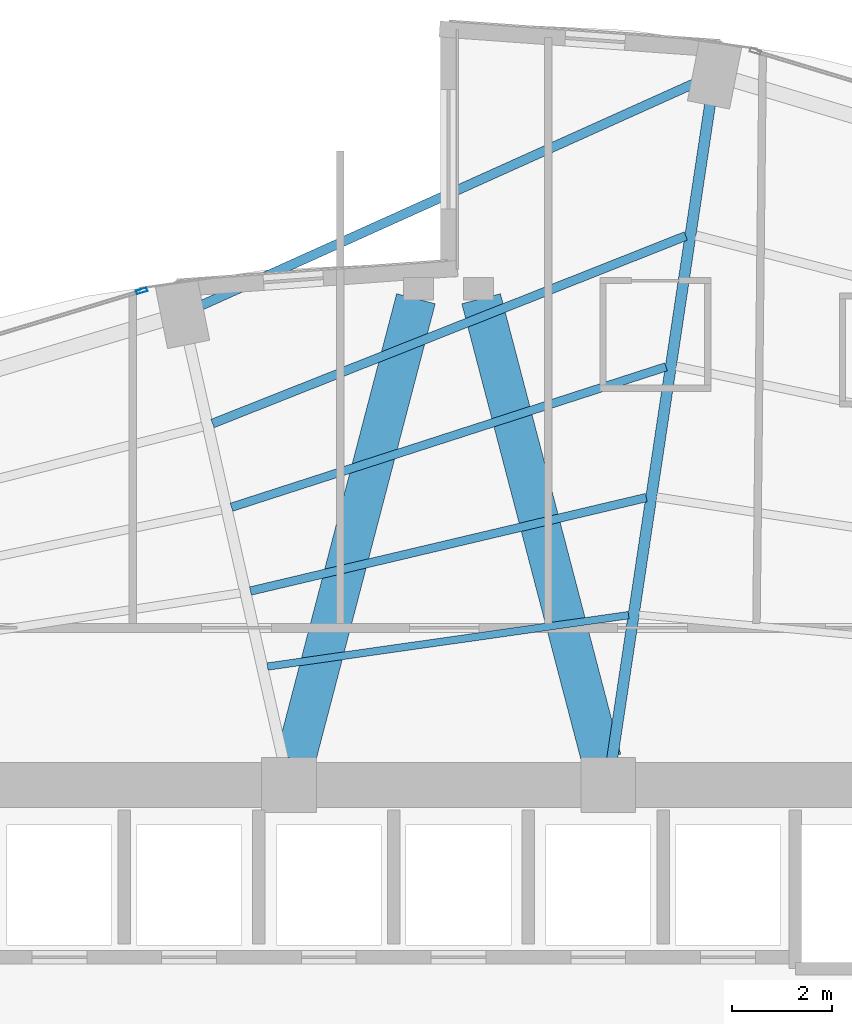
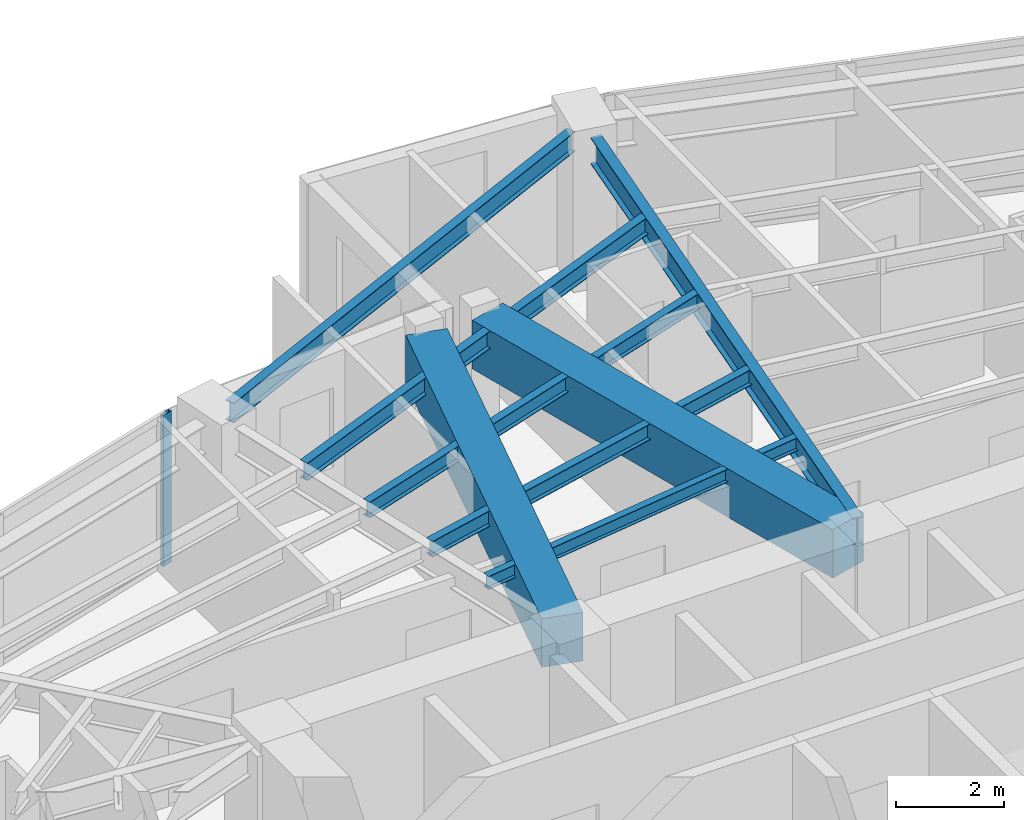
# One storey, part 15 of 25: 8 beams, 1 member, 1 element without a shape of its own.
"""IFC4 building model written with IfcOpenShell, lengths in metres."""

from ifc_helpers import new_model, si_unit, direction, frame, origin, origin_2d, place, context, subcontext, project, spatial, rectangle, hollow_rectangle, i_section, extrude, material, layer, layer_set, material_profile, profile_set, type_object, element, aggregate, save


model = new_model("IFC4")

# Units and contexts
model_context = context("Model", 3, precision=1e-05, world=origin(), true_north=direction((0.0, 1.0)))
body_context = subcontext(model_context, "Body", "Model", "MODEL_VIEW")
ifc_project = project(units=[si_unit("LENGTHUNIT", "METRE"), si_unit("AREAUNIT", "SQUARE_METRE"), si_unit("VOLUMEUNIT", "CUBIC_METRE"), si_unit("PLANEANGLEUNIT", "RADIAN"), si_unit("MASSUNIT", "GRAM", prefix="KILO")], contexts=[model_context])

# Site, building, storey
site_placement = place(None, origin())
site = spatial("IfcSite", under=ifc_project, at=site_placement, CompositionType="ELEMENT")
building_placement = place(site_placement, origin())
building = spatial("IfcBuilding", under=site, at=building_placement, Name="Lazwardi Medical Tower", CompositionType="ELEMENT")
storey_placement = place(building_placement, frame((0.0, 0.0, 28.847900390625)))
storey = spatial("IfcBuildingStorey", under=building, at=storey_placement, Name="L06", CompositionType="ELEMENT", Elevation=28.847900390625)

# Beams
ifc_material_1 = material(Name="Concrete C70/85", Category="concrete")
ifc_material_profile_1 = material_profile(ifc_material_1, rectangle(XDim=0.800048828125, YDim=1.10009765625, at=origin_2d()), Name="RC 800x1100")
ifc_profile_set_1 = profile_set([ifc_material_profile_1], Name="Concrete C70/85")
beam_type_1 = type_object("IfcBeamType", Name="BM-CB-RC1", PredefinedType="LINTEL", material=ifc_profile_set_1)
for number, where, z_axis, x_axis, name in (
    (1, (32.935302734375, 36.11767578125, 2.878173828125), (0.252819877511, 0.967513364009, 0.0), (-0.967513364009, 0.252819877511, 0.0), "Core coupling lintel CB-01 PL1 L06"),
    (2, (39.064697265625, 36.11767578125, 2.878173828125), (-0.252819877511, 0.967513364009, 0.0), (-0.967513364009, -0.252819877511, 0.0), "Core coupling lintel CB-01 PL2 L06"),
):
    element("IfcBeam", number, at=place(storey_placement, frame(where, z_axis=z_axis, x_axis=x_axis)), inside=storey, type_object=beam_type_1, Name=name, PredefinedType="LINTEL", context=body_context, shape_type="SweptSolid", body=[
        extrude(rectangle(XDim=0.800048828125, YDim=1.10009765625, at=origin_2d()), origin(), (0.0, 0.0, 1.0), 9.538818359375),
    ])
ifc_material_2 = material(Name="Steel S355", Category="steel")
ifc_material_profile_2 = material_profile(ifc_material_2, i_section(OverallWidth=0.219970703125, OverallDepth=0.60009765625, WebThickness=0.011962890625, FlangeThickness=0.01904296875, at=origin_2d()), Name="IPE 600")
ifc_profile_set_2 = profile_set([ifc_material_profile_2], Name="Steel S355")
beam_type_2 = type_object("IfcBeamType", Name="BM-RG-W1", PredefinedType="BEAM", material=ifc_profile_set_2)
beam_1_placement = place(storey_placement, frame((41.2451171875, 49.2705078125, 3.128173828125), z_axis=(-0.147944218183, -0.98899570692, 0.0), x_axis=(0.98899570692, -0.147944218183, 0.0)))
element("IfcBeam", 3, at=beam_1_placement, inside=storey, type_object=beam_type_2, Name="Radial girder RG-02 R08 L06", PredefinedType="BEAM", context=body_context, shape_type="SweptSolid", body=[
    extrude(i_section(OverallWidth=0.219970703125, OverallDepth=0.60009765625, WebThickness=0.011962890625, FlangeThickness=0.01904296875, at=origin_2d()), origin(), (0.0, 0.0, 1.0), 13.28759765625),
])
ifc_material_profile_3 = material_profile(ifc_material_2, i_section(OverallWidth=0.179931640625, OverallDepth=0.39990234375, WebThickness=0.008544921875, FlangeThickness=0.013427734375, at=origin_2d()), Name="IPE 400")
ifc_profile_set_3 = profile_set([ifc_material_profile_3], Name="Steel S355")
beam_type_3 = type_object("IfcBeamType", Name="BM-SJ-01", PredefinedType="JOIST", material=ifc_profile_set_3)
beam_2_placement = place(storey_placement, frame((40.754150390625, 46.603515625, 3.22802734375), z_axis=(-0.929663713752, -0.368409255222, 0.0), x_axis=(0.368409255222, -0.929663713752, 0.0)))
element("IfcBeam", 4, at=beam_2_placement, inside=storey, type_object=beam_type_3, Name="Secondary joist SJ-01 R1 B08 L06", PredefinedType="JOIST", context=body_context, shape_type="SweptSolid", body=[
    extrude(i_section(OverallWidth=0.179931640625, OverallDepth=0.39990234375, WebThickness=0.008544921875, FlangeThickness=0.013427734375, at=origin_2d()), origin(), (0.0, 0.0, 1.0), 10.2001953125),
])
ifc_material_profile_4 = material_profile(ifc_material_2, i_section(OverallWidth=0.169921875, OverallDepth=0.360107421875, WebThickness=0.008056640625, FlangeThickness=0.0126953125, at=origin_2d()), Name="IPE 360")
ifc_profile_set_4 = profile_set([ifc_material_profile_4], Name="Steel S355")
beam_type_4 = type_object("IfcBeamType", Name="BM-SJ-02", PredefinedType="JOIST", material=ifc_profile_set_4)
beam_3_placement = place(storey_placement, frame((40.35888671875, 43.981689453125, 3.248046875), z_axis=(-0.951558895485, -0.307466532199, 0.0), x_axis=(0.307466532199, -0.951558895485, 0.0)))
element("IfcBeam", 5, at=beam_3_placement, inside=storey, type_object=beam_type_4, Name="Secondary joist SJ-02 R2 B08 L06", PredefinedType="JOIST", context=body_context, shape_type="SweptSolid", body=[
    extrude(i_section(OverallWidth=0.169921875, OverallDepth=0.360107421875, WebThickness=0.008056640625, FlangeThickness=0.0126953125, at=origin_2d()), origin(), (0.0, 0.0, 1.0), 9.1513671875),
])
beam_4_placement = place(storey_placement, frame((39.96337890625, 41.361572265625, 3.248046875), z_axis=(-0.973240904247, -0.229787167397, 0.0), x_axis=(0.229787167397, -0.973240904247, 0.0)))
element("IfcBeam", 6, at=beam_4_placement, inside=storey, type_object=beam_type_4, Name="Secondary joist SJ-02 R3 B08 L06", PredefinedType="JOIST", context=body_context, shape_type="SweptSolid", body=[
    extrude(i_section(OverallWidth=0.169921875, OverallDepth=0.360107421875, WebThickness=0.008056640625, FlangeThickness=0.0126953125, at=origin_2d()), origin(), (0.0, 0.0, 1.0), 8.151123046875),
])
ifc_material_profile_5 = material_profile(ifc_material_2, i_section(OverallWidth=0.14990234375, OverallDepth=0.300048828125, WebThickness=0.007080078125, FlangeThickness=0.0107421875, at=origin_2d()), Name="IPE 300")
ifc_profile_set_5 = profile_set([ifc_material_profile_5], Name="Steel S355")
beam_type_5 = type_object("IfcBeamType", Name="BM-SJ-03", PredefinedType="JOIST", material=ifc_profile_set_5)
beam_5_placement = place(storey_placement, frame((39.607666015625, 39.00537109375, 3.278076171875), z_axis=(-0.99001552228, -0.140958382672, 0.0), x_axis=(0.140958382672, -0.99001552228, 0.0)))
element("IfcBeam", 7, at=beam_5_placement, inside=storey, type_object=beam_type_5, Name="Secondary joist SJ-03 R4 B08 L06", PredefinedType="JOIST", context=body_context, shape_type="SweptSolid", body=[
    extrude(i_section(OverallWidth=0.14990234375, OverallDepth=0.300048828125, WebThickness=0.007080078125, FlangeThickness=0.0107421875, at=origin_2d()), origin(), (0.0, 0.0, 1.0), 7.30908203125),
])
ifc_material_profile_6 = material_profile(ifc_material_2, i_section(OverallWidth=0.18994140625, OverallDepth=0.449951171875, WebThickness=0.009521484375, FlangeThickness=0.0146484375, at=origin_2d()), Name="IPE 450")
ifc_profile_set_6 = profile_set([ifc_material_profile_6], Name="Steel S355")
beam_type_6 = type_object("IfcBeamType", Name="BM-SP-01", PredefinedType="SPANDREL", material=ifc_profile_set_6)
beam_6_placement = place(storey_placement, frame((40.94775390625, 49.671630859375, 3.203125), z_axis=(-0.91184908894, -0.410525564368, 0.0), x_axis=(0.410525564368, -0.91184908894, 0.0)))
element("IfcBeam", 8, at=beam_6_placement, inside=storey, type_object=beam_type_6, Name="Spandrel beam SP-01 B08 L06", PredefinedType="SPANDREL", context=body_context, shape_type="SweptSolid", body=[
    extrude(i_section(OverallWidth=0.18994140625, OverallDepth=0.449951171875, WebThickness=0.009521484375, FlangeThickness=0.0146484375, at=origin_2d()), origin(), (0.0, 0.0, 1.0), 10.85205078125),
])

# Curtain wall, member
ifc_material_3 = material(Name="Anodised bronze aluminium and solar control glazing", Category="aluminium")
ifc_layer = layer(ifc_material_3, 0.199951171875)
ifc_layer_set = layer_set([ifc_layer], Name="Anodised bronze aluminium and solar control glazing")
curtain_wall_type = type_object("IfcCurtainWallType", Name="CW-SYS-02", PredefinedType="NOTDEFINED", material=ifc_layer_set)
curtain_wall_placement = place(storey_placement, origin())
curtain_wall = element("IfcCurtainWall", 9, at=curtain_wall_placement, inside=storey, type_object=curtain_wall_type, Name="L06 Unitised bronze curtain wall CW-02", PredefinedType="NOTDEFINED")
ifc_material_4 = material(Name="Anodised bronze aluminium", Category="aluminium")
ifc_material_profile_7 = material_profile(ifc_material_4, hollow_rectangle(XDim=0.074951171875, YDim=0.219970703125, WallThickness=0.00390625, at=origin_2d()), Name="ALU-MULLION 220x75x4")
ifc_profile_set_7 = profile_set([ifc_material_profile_7], Name="Anodised bronze aluminium")
member_type = type_object("IfcMemberType", Name="CW-MUL-01", PredefinedType="MULLION", material=ifc_profile_set_7)
member_placement = place(storey_placement, frame((29.85205078125, 45.503662109375, 0.0), z_axis=(0.0, 0.0, 1.0), x_axis=(0.2898956909, -0.957058247129, 0.0)))
member = element("IfcMember", 10, at=member_placement, type_object=member_type, Name="CW-02 mullion 1", PredefinedType="MULLION", context=body_context, shape_type="SweptSolid", body=[
    extrude(hollow_rectangle(XDim=0.074951171875, YDim=0.219970703125, WallThickness=0.00390625, at=origin_2d()), origin(), (0.0, 0.0, 1.0), 3.427978515625),
])
aggregate(curtain_wall, [member])

save(model, "model.ifc")
